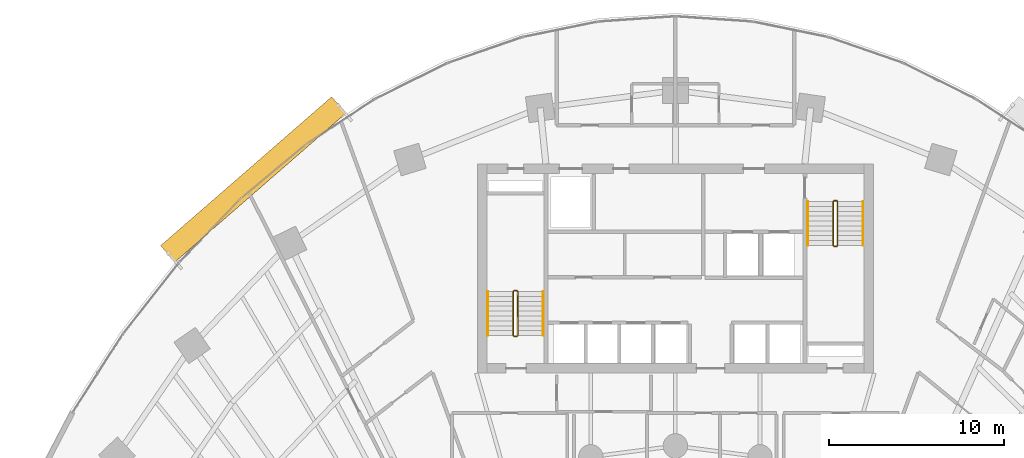
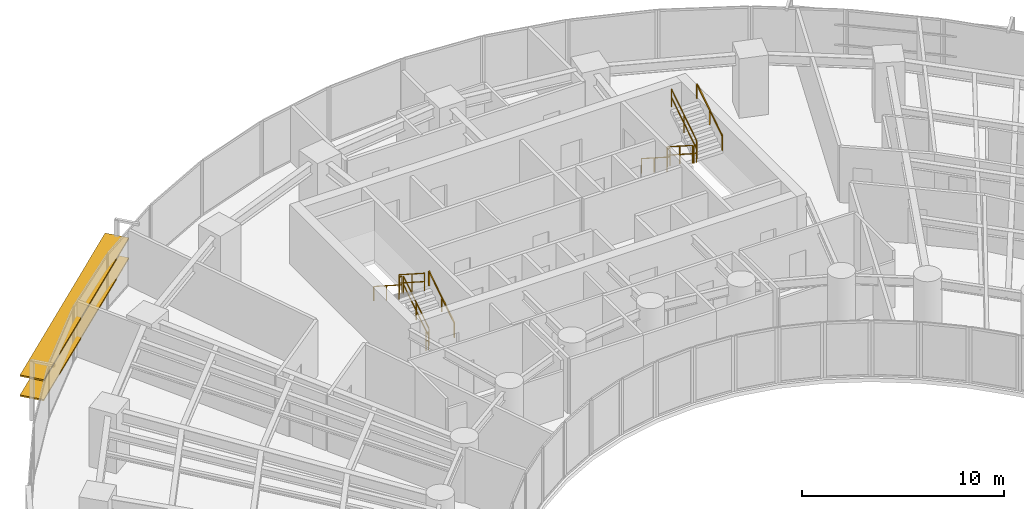
# One storey, part 16 of 17: 12 railings, 2 shading devices.
"""IFC4 building model written with IfcOpenShell, lengths in metres."""

from ifc_helpers import new_model, si_unit, direction, frame, origin, origin_2d, place, context, subcontext, project, spatial, rectangle, extrude, source, transform, mapped, material, material_profile, profile_set, type_object, type_shapes, element, save


model = new_model("IFC4")

# Units and contexts
model_context = context("Model", 3, precision=1e-05, world=origin(), true_north=direction((0.0, 1.0)))
body_context = subcontext(model_context, "Body", "Model", "MODEL_VIEW")
ifc_project = project(units=[si_unit("LENGTHUNIT", "METRE"), si_unit("AREAUNIT", "SQUARE_METRE"), si_unit("VOLUMEUNIT", "CUBIC_METRE"), si_unit("PLANEANGLEUNIT", "RADIAN"), si_unit("MASSUNIT", "GRAM", prefix="KILO")], contexts=[model_context])

# Site, building, storey
site_placement = place(None, origin())
site = spatial("IfcSite", under=ifc_project, at=site_placement, CompositionType="ELEMENT")
building_placement = place(site_placement, origin())
building = spatial("IfcBuilding", under=site, at=building_placement, Name="Breltana Convention Tower", CompositionType="ELEMENT")
storey_placement = place(building_placement, frame((0.0, 0.0, 60.60009765625)))
storey = spatial("IfcBuildingStorey", under=building, at=storey_placement, Name="L13", CompositionType="ELEMENT", Elevation=60.60009765625)

# Railings
ifc_material_1 = material(Name="Steel S275 Painted", Category="steel")
railing_type_1 = type_object("IfcRailingType", Name="RL-STAIR-GUARD-1100", PredefinedType="GUARDRAIL", material=ifc_material_1)
railing_1_placement = place(storey_placement, frame((38.9599609375, 62.360107421875, 0.179931640625)))
element("IfcRailing", 1, at=railing_1_placement, inside=storey, type_object=railing_type_1, Name="L13 ST-1 stair guard 1", PredefinedType="GUARDRAIL", context=body_context, shape_type="SweptSolid", body=[
    extrude(rectangle(XDim=0.048095703125, YDim=0.048095703125, at=origin_2d()), frame((0.0, 0.0, 1.076171875), z_axis=(0.0, 0.841175827307, 0.540761710511), x_axis=(-1.0, 0.0, 0.0)), (0.0, 0.0, 1.0), 2.99560546875),
    extrude(rectangle(XDim=0.048095703125, YDim=0.048095703125, at=origin_2d()), frame((0.0, 0.0, 0.572021484375), z_axis=(0.0, 0.841175827307, 0.540761710511), x_axis=(-1.0, 0.0, 0.0)), (0.0, 0.0, 1.0), 2.99560546875),
    extrude(rectangle(XDim=0.0419921875, YDim=0.0419921875, at=origin_2d()), origin(), (0.0, 0.0, 1.0), 1.052001953125),
    extrude(rectangle(XDim=0.0419921875, YDim=0.0419921875, at=origin_2d()), frame((0.0, 1.259765625, 0.81005859375)), (0.0, 0.0, 1.0), 1.052001953125),
    extrude(rectangle(XDim=0.0419921875, YDim=0.0419921875, at=origin_2d()), frame((0.0, 2.519775390625, 1.619873046875)), (0.0, 0.0, 1.0), 1.052001953125),
])
railing_2_placement = place(storey_placement, frame((38.909912109375, 64.929931640625, 1.7998046875)))
element("IfcRailing", 2, at=railing_2_placement, inside=storey, type_object=railing_type_1, Name="L13 ST-1 stair guard 2", PredefinedType="GUARDRAIL", context=body_context, shape_type="SweptSolid", body=[
    extrude(rectangle(XDim=0.048095703125, YDim=0.048095703125, at=origin_2d()), frame((0.0, 0.0, 1.076171875), z_axis=(-1.0, 0.0, 0.0), x_axis=(0.0, -1.0, 0.0)), (0.0, 0.0, 1.0), 0.14990234375),
    extrude(rectangle(XDim=0.048095703125, YDim=0.048095703125, at=origin_2d()), frame((0.0, 0.0, 0.572021484375), z_axis=(-1.0, 0.0, 0.0), x_axis=(0.0, -1.0, 0.0)), (0.0, 0.0, 1.0), 0.14990234375),
    extrude(rectangle(XDim=0.0419921875, YDim=0.0419921875, at=origin_2d()), origin(), (0.0, 0.0, 1.0), 1.052001953125),
    extrude(rectangle(XDim=0.0419921875, YDim=0.0419921875, at=origin_2d()), frame((-0.14990234375, 0.0, 0.0)), (0.0, 0.0, 1.0), 1.052001953125),
])
railing_3_placement = place(storey_placement, frame((38.7099609375, 64.8798828125, 1.97998046875)))
element("IfcRailing", 3, at=railing_3_placement, inside=storey, type_object=railing_type_1, Name="L13 ST-1 stair guard 3", PredefinedType="GUARDRAIL", context=body_context, shape_type="SweptSolid", body=[
    extrude(rectangle(XDim=0.048095703125, YDim=0.048095703125, at=origin_2d()), frame((0.0, 0.0, 1.076171875), z_axis=(0.0, -0.841175827307, 0.540761710511), x_axis=(1.0, 0.0, 0.0)), (0.0, 0.0, 1.0), 2.99560546875),
    extrude(rectangle(XDim=0.048095703125, YDim=0.048095703125, at=origin_2d()), frame((0.0, 0.0, 0.572021484375), z_axis=(0.0, -0.841175827307, 0.540761710511), x_axis=(1.0, 0.0, 0.0)), (0.0, 0.0, 1.0), 2.99560546875),
    extrude(rectangle(XDim=0.0419921875, YDim=0.0419921875, at=origin_2d()), origin(), (0.0, 0.0, 1.0), 1.052001953125),
    extrude(rectangle(XDim=0.0419921875, YDim=0.0419921875, at=origin_2d()), frame((0.0, -1.259765625, 0.81005859375)), (0.0, 0.0, 1.0), 1.052001953125),
    extrude(rectangle(XDim=0.0419921875, YDim=0.0419921875, at=origin_2d()), frame((0.0, -2.519775390625, 1.619873046875)), (0.0, 0.0, 1.0), 1.052001953125),
])
railing_4_placement = place(storey_placement, frame((38.909912109375, 62.31005859375, 0.0)))
element("IfcRailing", 4, at=railing_4_placement, inside=storey, type_object=railing_type_1, Name="L13 ST-1 stair guard 4", PredefinedType="GUARDRAIL", context=body_context, shape_type="SweptSolid", body=[
    extrude(rectangle(XDim=0.048095703125, YDim=0.048095703125, at=origin_2d()), frame((0.0, 0.0, 1.076171875), z_axis=(-1.0, 0.0, 0.0), x_axis=(0.0, -1.0, 0.0)), (0.0, 0.0, 1.0), 0.14990234375),
    extrude(rectangle(XDim=0.048095703125, YDim=0.048095703125, at=origin_2d()), frame((0.0, 0.0, 0.572021484375), z_axis=(-1.0, 0.0, 0.0), x_axis=(0.0, -1.0, 0.0)), (0.0, 0.0, 1.0), 0.14990234375),
    extrude(rectangle(XDim=0.0419921875, YDim=0.0419921875, at=origin_2d()), origin(), (0.0, 0.0, 1.0), 1.052001953125),
    extrude(rectangle(XDim=0.0419921875, YDim=0.0419921875, at=origin_2d()), frame((-0.14990234375, 0.0, 0.0)), (0.0, 0.0, 1.0), 1.052001953125),
])
railing_5_placement = place(storey_placement, frame((57.0400390625, 70.0400390625, 0.179931640625)))
element("IfcRailing", 5, at=railing_5_placement, inside=storey, type_object=railing_type_1, Name="L13 ST-2 stair guard 1", PredefinedType="GUARDRAIL", context=body_context, shape_type="SweptSolid", body=[
    extrude(rectangle(XDim=0.048095703125, YDim=0.048095703125, at=origin_2d()), frame((0.0, 0.0, 1.076171875), z_axis=(0.0, -0.841199657755, 0.540724639528), x_axis=(1.0, 0.0, 0.0)), (0.0, 0.0, 1.0), 2.995849609375),
    extrude(rectangle(XDim=0.048095703125, YDim=0.048095703125, at=origin_2d()), frame((0.0, 0.0, 0.572021484375), z_axis=(0.0, -0.841199657755, 0.540724639528), x_axis=(1.0, 0.0, 0.0)), (0.0, 0.0, 1.0), 2.995849609375),
    extrude(rectangle(XDim=0.0419921875, YDim=0.0419921875, at=origin_2d()), origin(), (0.0, 0.0, 1.0), 1.052001953125),
    extrude(rectangle(XDim=0.0419921875, YDim=0.0419921875, at=origin_2d()), frame((0.0, -1.260009765625, 0.81005859375)), (0.0, 0.0, 1.0), 1.052001953125),
    extrude(rectangle(XDim=0.0419921875, YDim=0.0419921875, at=origin_2d()), frame((0.0, -2.52001953125, 1.619873046875)), (0.0, 0.0, 1.0), 1.052001953125),
])
railing_6_placement = place(storey_placement, frame((57.090087890625, 67.469970703125, 1.7998046875)))
element("IfcRailing", 6, at=railing_6_placement, inside=storey, type_object=railing_type_1, Name="L13 ST-2 stair guard 2", PredefinedType="GUARDRAIL", context=body_context, shape_type="SweptSolid", body=[
    extrude(rectangle(XDim=0.048095703125, YDim=0.048095703125, at=origin_2d()), frame((0.0, 0.0, 1.076171875), z_axis=(1.0, 0.0, 0.0), x_axis=(0.0, 1.0, 0.0)), (0.0, 0.0, 1.0), 0.14990234375),
    extrude(rectangle(XDim=0.048095703125, YDim=0.048095703125, at=origin_2d()), frame((0.0, 0.0, 0.572021484375), z_axis=(1.0, 0.0, 0.0), x_axis=(0.0, 1.0, 0.0)), (0.0, 0.0, 1.0), 0.14990234375),
    extrude(rectangle(XDim=0.0419921875, YDim=0.0419921875, at=origin_2d()), origin(), (0.0, 0.0, 1.0), 1.052001953125),
    extrude(rectangle(XDim=0.0419921875, YDim=0.0419921875, at=origin_2d()), frame((0.14990234375, 0.0, 0.0)), (0.0, 0.0, 1.0), 1.052001953125),
])
railing_7_placement = place(storey_placement, frame((57.2900390625, 67.52001953125, 1.97998046875)))
element("IfcRailing", 7, at=railing_7_placement, inside=storey, type_object=railing_type_1, Name="L13 ST-2 stair guard 3", PredefinedType="GUARDRAIL", context=body_context, shape_type="SweptSolid", body=[
    extrude(rectangle(XDim=0.048095703125, YDim=0.048095703125, at=origin_2d()), frame((0.0, 0.0, 1.076171875), z_axis=(0.0, 0.841199657755, 0.540724639528), x_axis=(-1.0, 0.0, 0.0)), (0.0, 0.0, 1.0), 2.995849609375),
    extrude(rectangle(XDim=0.048095703125, YDim=0.048095703125, at=origin_2d()), frame((0.0, 0.0, 0.572021484375), z_axis=(0.0, 0.841199657755, 0.540724639528), x_axis=(-1.0, 0.0, 0.0)), (0.0, 0.0, 1.0), 2.995849609375),
    extrude(rectangle(XDim=0.0419921875, YDim=0.0419921875, at=origin_2d()), origin(), (0.0, 0.0, 1.0), 1.052001953125),
    extrude(rectangle(XDim=0.0419921875, YDim=0.0419921875, at=origin_2d()), frame((0.0, 1.260009765625, 0.81005859375)), (0.0, 0.0, 1.0), 1.052001953125),
    extrude(rectangle(XDim=0.0419921875, YDim=0.0419921875, at=origin_2d()), frame((0.0, 2.52001953125, 1.619873046875)), (0.0, 0.0, 1.0), 1.052001953125),
])
railing_8_placement = place(storey_placement, frame((57.090087890625, 70.090087890625, 0.0)))
element("IfcRailing", 8, at=railing_8_placement, inside=storey, type_object=railing_type_1, Name="L13 ST-2 stair guard 4", PredefinedType="GUARDRAIL", context=body_context, shape_type="SweptSolid", body=[
    extrude(rectangle(XDim=0.048095703125, YDim=0.048095703125, at=origin_2d()), frame((0.0, 0.0, 1.076171875), z_axis=(1.0, 0.0, 0.0), x_axis=(0.0, 1.0, 0.0)), (0.0, 0.0, 1.0), 0.14990234375),
    extrude(rectangle(XDim=0.048095703125, YDim=0.048095703125, at=origin_2d()), frame((0.0, 0.0, 0.572021484375), z_axis=(1.0, 0.0, 0.0), x_axis=(0.0, 1.0, 0.0)), (0.0, 0.0, 1.0), 0.14990234375),
    extrude(rectangle(XDim=0.0419921875, YDim=0.0419921875, at=origin_2d()), origin(), (0.0, 0.0, 1.0), 1.052001953125),
    extrude(rectangle(XDim=0.0419921875, YDim=0.0419921875, at=origin_2d()), frame((0.14990234375, 0.0, 0.0)), (0.0, 0.0, 1.0), 1.052001953125),
])
ifc_material_2 = material(Name="Stainless Steel 316L", Category="steel")
railing_type_2 = type_object("IfcRailingType", Name="RL-STAIR-HANDRAIL-900", PredefinedType="HANDRAIL", material=ifc_material_2)
railing_9_placement = place(storey_placement, frame((40.419921875, 62.360107421875, 0.179931640625)))
element("IfcRailing", 9, at=railing_9_placement, inside=storey, type_object=railing_type_2, Name="L13 ST-1 stair handrail 1", PredefinedType="HANDRAIL", context=body_context, shape_type="SweptSolid", body=[
    extrude(rectangle(XDim=0.048095703125, YDim=0.048095703125, at=origin_2d()), frame((0.0, 0.0, 0.8759765625), z_axis=(0.0, 0.841175827307, 0.540761710511), x_axis=(-1.0, 0.0, 0.0)), (0.0, 0.0, 1.0), 2.99560546875),
    extrude(rectangle(XDim=0.0419921875, YDim=0.0419921875, at=origin_2d()), origin(), (0.0, 0.0, 1.0), 0.851806640625),
    extrude(rectangle(XDim=0.0419921875, YDim=0.0419921875, at=origin_2d()), frame((0.0, 1.259765625, 0.81005859375)), (0.0, 0.0, 1.0), 0.851806640625),
    extrude(rectangle(XDim=0.0419921875, YDim=0.0419921875, at=origin_2d()), frame((0.0, 2.519775390625, 1.619873046875)), (0.0, 0.0, 1.0), 0.851806640625),
])
railing_10_placement = place(storey_placement, frame((37.25, 64.8798828125, 1.97998046875)))
element("IfcRailing", 10, at=railing_10_placement, inside=storey, type_object=railing_type_2, Name="L13 ST-1 stair handrail 2", PredefinedType="HANDRAIL", context=body_context, shape_type="SweptSolid", body=[
    extrude(rectangle(XDim=0.048095703125, YDim=0.048095703125, at=origin_2d()), frame((0.0, 0.0, 0.8759765625), z_axis=(0.0, -0.841175827307, 0.540761710511), x_axis=(1.0, 0.0, 0.0)), (0.0, 0.0, 1.0), 2.99560546875),
    extrude(rectangle(XDim=0.0419921875, YDim=0.0419921875, at=origin_2d()), origin(), (0.0, 0.0, 1.0), 0.851806640625),
    extrude(rectangle(XDim=0.0419921875, YDim=0.0419921875, at=origin_2d()), frame((0.0, -1.259765625, 0.81005859375)), (0.0, 0.0, 1.0), 0.851806640625),
    extrude(rectangle(XDim=0.0419921875, YDim=0.0419921875, at=origin_2d()), frame((0.0, -2.519775390625, 1.619873046875)), (0.0, 0.0, 1.0), 0.851806640625),
])
railing_11_placement = place(storey_placement, frame((55.580078125, 70.0400390625, 0.179931640625)))
element("IfcRailing", 11, at=railing_11_placement, inside=storey, type_object=railing_type_2, Name="L13 ST-2 stair handrail 1", PredefinedType="HANDRAIL", context=body_context, shape_type="SweptSolid", body=[
    extrude(rectangle(XDim=0.048095703125, YDim=0.048095703125, at=origin_2d()), frame((0.0, 0.0, 0.8759765625), z_axis=(0.0, -0.841199657755, 0.540724639528), x_axis=(1.0, 0.0, 0.0)), (0.0, 0.0, 1.0), 2.995849609375),
    extrude(rectangle(XDim=0.0419921875, YDim=0.0419921875, at=origin_2d()), origin(), (0.0, 0.0, 1.0), 0.851806640625),
    extrude(rectangle(XDim=0.0419921875, YDim=0.0419921875, at=origin_2d()), frame((0.0, -1.260009765625, 0.81005859375)), (0.0, 0.0, 1.0), 0.851806640625),
    extrude(rectangle(XDim=0.0419921875, YDim=0.0419921875, at=origin_2d()), frame((0.0, -2.52001953125, 1.619873046875)), (0.0, 0.0, 1.0), 0.851806640625),
])
railing_12_placement = place(storey_placement, frame((58.75, 67.52001953125, 1.97998046875)))
element("IfcRailing", 12, at=railing_12_placement, inside=storey, type_object=railing_type_2, Name="L13 ST-2 stair handrail 2", PredefinedType="HANDRAIL", context=body_context, shape_type="SweptSolid", body=[
    extrude(rectangle(XDim=0.048095703125, YDim=0.048095703125, at=origin_2d()), frame((0.0, 0.0, 0.8759765625), z_axis=(0.0, 0.841199657755, 0.540724639528), x_axis=(-1.0, 0.0, 0.0)), (0.0, 0.0, 1.0), 2.995849609375),
    extrude(rectangle(XDim=0.0419921875, YDim=0.0419921875, at=origin_2d()), origin(), (0.0, 0.0, 1.0), 0.851806640625),
    extrude(rectangle(XDim=0.0419921875, YDim=0.0419921875, at=origin_2d()), frame((0.0, 1.260009765625, 0.81005859375)), (0.0, 0.0, 1.0), 0.851806640625),
    extrude(rectangle(XDim=0.0419921875, YDim=0.0419921875, at=origin_2d()), frame((0.0, 2.52001953125, 1.619873046875)), (0.0, 0.0, 1.0), 0.851806640625),
])

# Shading devices
ifc_material_3 = material(Name="Limestone Warm Buff Honed", Category="masonry")
ifc_material_profile = material_profile(ifc_material_3, rectangle(XDim=1.25, YDim=0.090087890625, at=origin_2d()), Name="STN-LVR-1250X90")
ifc_profile_set = profile_set([ifc_material_profile], Name="Limestone Warm Buff Honed")
shading_device_type = type_object("IfcShadingDeviceType", Name="SHD-OUTER-SKIN-LIMESTONE-1250", PredefinedType="JALOUSIE", material=ifc_profile_set)
shared_shape = source(origin(), body_context, "Body", "SweptSolid", [
    extrude(rectangle(XDim=1.25, YDim=0.090087890625, at=origin_2d()), origin(), (0.0, 0.0, 1.0), 12.99462890625),
])
type_shapes(shading_device_type, [shared_shape])
for number, where, z_axis, x_axis, name in (
    (13, (18.9130859375, 67.039794921875, 1.20947265625), (0.754353477941, 0.656468453407, 0.0), (-0.656468453407, 0.754353477941, 0.0), "L13 outer skin warm limestone louvre 1.1"),
    (14, (18.9130859375, 67.039794921875, 2.419189453125), (0.754353477941, 0.656468453407, 0.0), (-0.656468453407, 0.754353477941, 0.0), "L13 outer skin warm limestone louvre 1.2"),
):
    element("IfcShadingDevice", number, at=place(storey_placement, frame(where, z_axis=z_axis, x_axis=x_axis)), inside=storey, type_object=shading_device_type, Name=name, PredefinedType="JALOUSIE", context=body_context, shape_type="MappedRepresentation", body=[
        mapped(shared_shape, transform((0.0, 0.0, 0.0), scale=1.0)),
    ])

save(model, "model.ifc")
